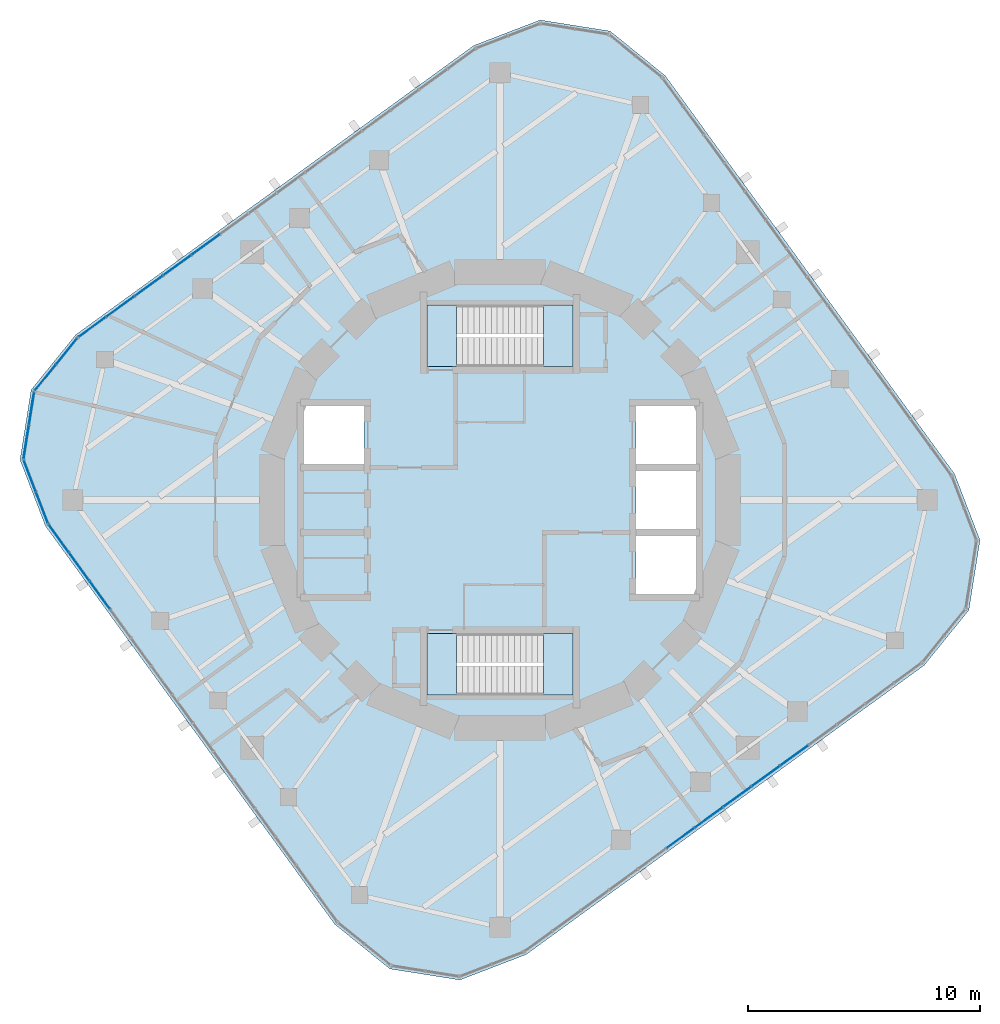
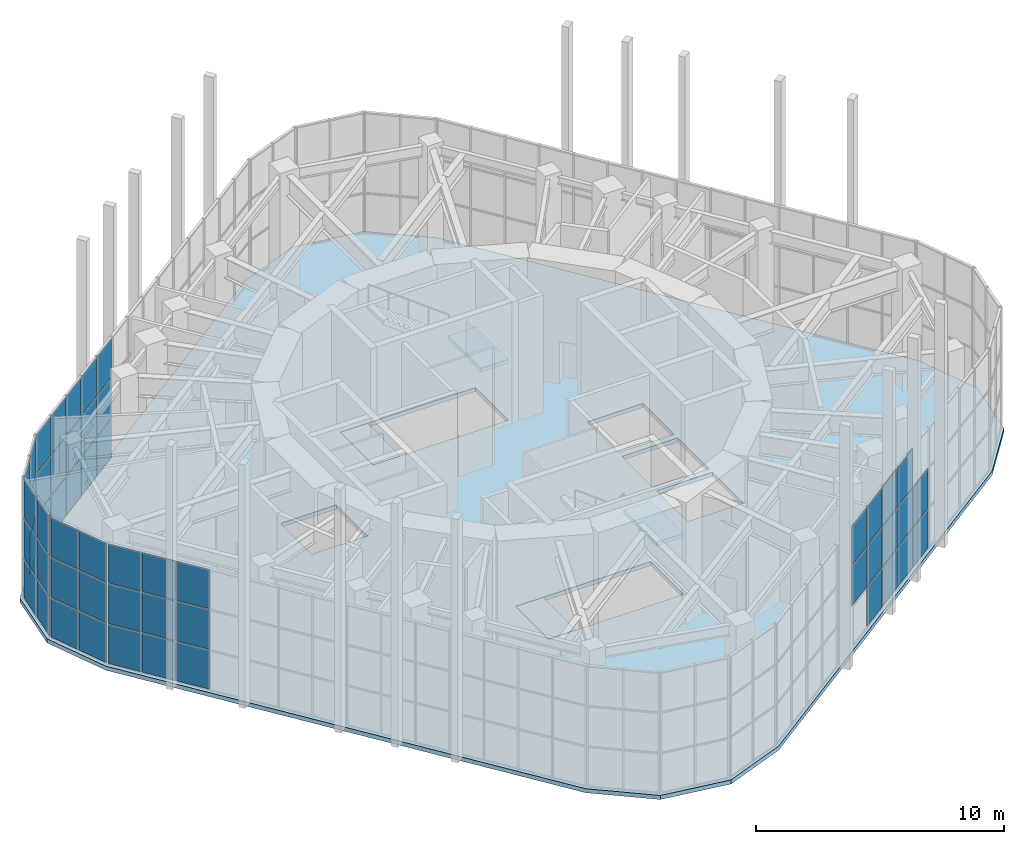
# One storey, part 12 of 17: 55 plates, 5 slabs, 8 elements without a shape of their own.
"""IFC4 building model written with IfcOpenShell, lengths in metres."""

from ifc_helpers import new_model, si_unit, direction, frame, origin, origin_2d, place, context, subcontext, project, spatial, polyline, rectangle, outline, extrude, material, layer, layer_set, type_object, element, aggregate, save


model = new_model("IFC4")

# Units and contexts
model_context = context("Model", 3, precision=1e-05, world=origin(), true_north=direction((0.0, 1.0)))
body_context = subcontext(model_context, "Body", "Model", "MODEL_VIEW")
ifc_project = project(units=[si_unit("LENGTHUNIT", "METRE"), si_unit("AREAUNIT", "SQUARE_METRE"), si_unit("VOLUMEUNIT", "CUBIC_METRE"), si_unit("PLANEANGLEUNIT", "RADIAN"), si_unit("MASSUNIT", "GRAM", prefix="KILO")], contexts=[model_context])

# Site, building, storey
site_placement = place(None, origin())
site = spatial("IfcSite", under=ifc_project, at=site_placement, CompositionType="ELEMENT")
building_placement = place(site_placement, origin())
building = spatial("IfcBuilding", under=site, at=building_placement, Name="Nakasero Lantern House", CompositionType="ELEMENT")
storey_placement = place(building_placement, frame((0.0, 0.0, 298.39990234375)))
storey = spatial("IfcBuildingStorey", under=building, at=storey_placement, Name="L73", CompositionType="ELEMENT", Elevation=298.39990234375)

# Slab
ifc_material_1 = material(Name="Concrete C35/45", Category="concrete")
ifc_layer_1 = layer(ifc_material_1, 0.199951171875)
ifc_layer_set_1 = layer_set([ifc_layer_1], Name="Composite floor slab 200")
slab_type_1 = type_object("IfcSlabType", Name="Composite floor slab 200", PredefinedType="FLOOR", material=ifc_layer_set_1)
slab_1_placement = place(storey_placement, frame((0.0, 0.0, -0.199951171875)))
element("IfcSlab", 1, at=slab_1_placement, inside=storey, type_object=slab_type_1, Name="Floor slab L73", PredefinedType="FLOOR", context=body_context, shape_type="SweptSolid", body=[
    extrude(outline(polyline([(7.1181640625, 18.27392578125), (4.744873046875, 20.196044921875), (1.728271484375, 20.673828125), (-1.122802734375, 19.579345703125), (-18.27392578125, 7.1181640625), (-20.196044921875, 4.744873046875), (-20.673828125, 1.728271484375), (-19.579345703125, -1.122802734375), (-7.1181640625, -18.27392578125), (-4.744873046875, -20.196044921875), (-1.728271484375, -20.673828125), (1.122802734375, -19.579345703125), (18.27392578125, -7.1181640625), (20.196044921875, -4.744873046875), (20.673828125, -1.728271484375), (19.579345703125, 1.122802734375), (7.1181640625, 18.27392578125)]), holes=[polyline([(-8.449951171875, 1.550048828125), (-5.85009765625, 1.550048828125), (-5.85009765625, 4.050048828125), (-8.449951171875, 4.050048828125), (-8.449951171875, 1.550048828125)]), polyline([(5.85009765625, -4.050048828125), (8.449951171875, -4.050048828125), (8.449951171875, -1.550048828125), (5.85009765625, -1.550048828125), (5.85009765625, -4.050048828125)]), polyline([(5.85009765625, -1.25), (8.449951171875, -1.25), (8.449951171875, 1.25), (5.85009765625, 1.25), (5.85009765625, -1.25)]), polyline([(5.85009765625, 1.550048828125), (8.449951171875, 1.550048828125), (8.449951171875, 4.050048828125), (5.85009765625, 4.050048828125), (5.85009765625, 1.550048828125)]), polyline([(-3.14990234375, 5.75), (3.14990234375, 5.75), (3.14990234375, 8.39990234375), (-3.14990234375, 8.39990234375), (-3.14990234375, 5.75)]), polyline([(-3.14990234375, -8.39990234375), (3.14990234375, -8.39990234375), (3.14990234375, -5.75), (-3.14990234375, -5.75), (-3.14990234375, -8.39990234375)])]), origin(), (0.0, 0.0, 1.0), 0.199951171875),
])

# Curtain wall, plates
ifc_material_2 = material(Name="Aluminium 6063-T6 and glass", Category="aluminium")
curtain_wall_type = type_object("IfcCurtainWallType", Name="Lantern glazing CW-4", PredefinedType="USERDEFINED", material=ifc_material_2)
curtain_wall_1_placement = place(storey_placement, origin())
curtain_wall_1 = element("IfcCurtainWall", 2, at=curtain_wall_1_placement, inside=storey, type_object=curtain_wall_type, Name="Curtain wall CW-4 L73", ObjectType="UNITISED CURTAIN WALL", PredefinedType="USERDEFINED")
ifc_material_3 = material(Name="Glass", Category="glass")
ifc_layer_2 = layer(ifc_material_3, 0.028076171875)
ifc_layer_set_2 = layer_set([ifc_layer_2], Name="Glazed panel CW-4")
plate_type = type_object("IfcPlateType", Name="Glazed panel CW-4", PredefinedType="CURTAIN_PANEL", material=ifc_layer_set_2)
plate_1_placement = place(storey_placement, frame((-12.673095703125, 11.002197265625, 0.06005859375), z_axis=(0.0, 0.0, 1.0), x_axis=(-0.809016994375, -0.587785252292, 0.0)))
plate_1 = element("IfcPlate", 3, at=plate_1_placement, type_object=plate_type, Name="CW-4 panel 10.1", PredefinedType="CURTAIN_PANEL", context=body_context, shape_type="SweptSolid", body=[
    extrude(rectangle(XDim=1.454345703125, YDim=0.028076171875, at=origin_2d()), origin(), (0.0, 0.0, 1.0), 1.909912109375),
])
plate_2_placement = place(storey_placement, frame((-12.673095703125, 11.002197265625, 2.030029296875), z_axis=(0.0, 0.0, 1.0), x_axis=(-0.809016994375, -0.587785252292, 0.0)))
plate_2 = element("IfcPlate", 4, at=plate_2_placement, type_object=plate_type, Name="CW-4 panel 10.2", PredefinedType="CURTAIN_PANEL", context=body_context, shape_type="SweptSolid", body=[
    extrude(rectangle(XDim=1.454345703125, YDim=0.028076171875, at=origin_2d()), origin(), (0.0, 0.0, 1.0), 1.93994140625),
])
plate_3_placement = place(storey_placement, frame((-12.673095703125, 11.002197265625, 4.0302734375), z_axis=(0.0, 0.0, 1.0), x_axis=(-0.809016994375, -0.587785252292, 0.0)))
plate_3 = element("IfcPlate", 5, at=plate_3_placement, type_object=plate_type, Name="CW-4 panel 10.3", PredefinedType="CURTAIN_PANEL", context=body_context, shape_type="SweptSolid", body=[
    extrude(rectangle(XDim=1.454345703125, YDim=0.028076171875, at=origin_2d()), origin(), (0.0, 0.0, 1.0), 1.909912109375),
])
plate_4_placement = place(storey_placement, frame((-13.898193359375, 10.112060546875, 0.06005859375), z_axis=(0.0, 0.0, 1.0), x_axis=(-0.809016994375, -0.587785252292, 0.0)))
plate_4 = element("IfcPlate", 6, at=plate_4_placement, type_object=plate_type, Name="CW-4 panel 11.1", PredefinedType="CURTAIN_PANEL", context=body_context, shape_type="SweptSolid", body=[
    extrude(rectangle(XDim=1.454345703125, YDim=0.028076171875, at=origin_2d()), origin(), (0.0, 0.0, 1.0), 1.909912109375),
])
plate_5_placement = place(storey_placement, frame((-13.898193359375, 10.112060546875, 2.030029296875), z_axis=(0.0, 0.0, 1.0), x_axis=(-0.809016994375, -0.587785252292, 0.0)))
plate_5 = element("IfcPlate", 7, at=plate_5_placement, type_object=plate_type, Name="CW-4 panel 11.2", PredefinedType="CURTAIN_PANEL", context=body_context, shape_type="SweptSolid", body=[
    extrude(rectangle(XDim=1.454345703125, YDim=0.028076171875, at=origin_2d()), origin(), (0.0, 0.0, 1.0), 1.93994140625),
])
plate_6_placement = place(storey_placement, frame((-13.898193359375, 10.112060546875, 4.0302734375), z_axis=(0.0, 0.0, 1.0), x_axis=(-0.809016994375, -0.587785252292, 0.0)))
plate_6 = element("IfcPlate", 8, at=plate_6_placement, type_object=plate_type, Name="CW-4 panel 11.3", PredefinedType="CURTAIN_PANEL", context=body_context, shape_type="SweptSolid", body=[
    extrude(rectangle(XDim=1.454345703125, YDim=0.028076171875, at=origin_2d()), origin(), (0.0, 0.0, 1.0), 1.909912109375),
])
plate_7_placement = place(storey_placement, frame((-15.123046875, 9.22216796875, 0.06005859375), z_axis=(0.0, 0.0, 1.0), x_axis=(-0.809016994375, -0.587785252292, 0.0)))
plate_7 = element("IfcPlate", 9, at=plate_7_placement, type_object=plate_type, Name="CW-4 panel 12.1", PredefinedType="CURTAIN_PANEL", context=body_context, shape_type="SweptSolid", body=[
    extrude(rectangle(XDim=1.454345703125, YDim=0.028076171875, at=origin_2d()), origin(), (0.0, 0.0, 1.0), 1.909912109375),
])
plate_8_placement = place(storey_placement, frame((-15.123046875, 9.22216796875, 2.030029296875), z_axis=(0.0, 0.0, 1.0), x_axis=(-0.809016994375, -0.587785252292, 0.0)))
plate_8 = element("IfcPlate", 10, at=plate_8_placement, type_object=plate_type, Name="CW-4 panel 12.2", PredefinedType="CURTAIN_PANEL", context=body_context, shape_type="SweptSolid", body=[
    extrude(rectangle(XDim=1.454345703125, YDim=0.028076171875, at=origin_2d()), origin(), (0.0, 0.0, 1.0), 1.93994140625),
])
plate_9_placement = place(storey_placement, frame((-15.123046875, 9.22216796875, 4.0302734375), z_axis=(0.0, 0.0, 1.0), x_axis=(-0.809016994375, -0.587785252292, 0.0)))
plate_9 = element("IfcPlate", 11, at=plate_9_placement, type_object=plate_type, Name="CW-4 panel 12.3", PredefinedType="CURTAIN_PANEL", context=body_context, shape_type="SweptSolid", body=[
    extrude(rectangle(XDim=1.454345703125, YDim=0.028076171875, at=origin_2d()), origin(), (0.0, 0.0, 1.0), 1.909912109375),
])
plate_10_placement = place(storey_placement, frame((-16.34814453125, 8.33203125, 0.06005859375), z_axis=(0.0, 0.0, 1.0), x_axis=(-0.809016994375, -0.587785252292, 0.0)))
plate_10 = element("IfcPlate", 12, at=plate_10_placement, type_object=plate_type, Name="CW-4 panel 13.1", PredefinedType="CURTAIN_PANEL", context=body_context, shape_type="SweptSolid", body=[
    extrude(rectangle(XDim=1.454345703125, YDim=0.028076171875, at=origin_2d()), origin(), (0.0, 0.0, 1.0), 1.909912109375),
])
plate_11_placement = place(storey_placement, frame((-16.34814453125, 8.33203125, 2.030029296875), z_axis=(0.0, 0.0, 1.0), x_axis=(-0.809016994375, -0.587785252292, 0.0)))
plate_11 = element("IfcPlate", 13, at=plate_11_placement, type_object=plate_type, Name="CW-4 panel 13.2", PredefinedType="CURTAIN_PANEL", context=body_context, shape_type="SweptSolid", body=[
    extrude(rectangle(XDim=1.454345703125, YDim=0.028076171875, at=origin_2d()), origin(), (0.0, 0.0, 1.0), 1.93994140625),
])
plate_12_placement = place(storey_placement, frame((-16.34814453125, 8.33203125, 4.0302734375), z_axis=(0.0, 0.0, 1.0), x_axis=(-0.809016994375, -0.587785252292, 0.0)))
plate_12 = element("IfcPlate", 14, at=plate_12_placement, type_object=plate_type, Name="CW-4 panel 13.3", PredefinedType="CURTAIN_PANEL", context=body_context, shape_type="SweptSolid", body=[
    extrude(rectangle(XDim=1.454345703125, YDim=0.028076171875, at=origin_2d()), origin(), (0.0, 0.0, 1.0), 1.909912109375),
])
plate_13_placement = place(storey_placement, frame((-17.561279296875, 7.45068359375, 0.06005859375), z_axis=(0.0, 0.0, 1.0), x_axis=(-0.809016994375, -0.587785252292, 0.0)))
plate_13 = element("IfcPlate", 15, at=plate_13_placement, type_object=plate_type, Name="CW-4 panel 14.1", PredefinedType="CURTAIN_PANEL", context=body_context, shape_type="SweptSolid", body=[
    extrude(rectangle(XDim=1.42431640625, YDim=0.028076171875, at=origin_2d()), origin(), (0.0, 0.0, 1.0), 1.909912109375),
])
plate_14_placement = place(storey_placement, frame((-17.561279296875, 7.45068359375, 2.030029296875), z_axis=(0.0, 0.0, 1.0), x_axis=(-0.809016994375, -0.587785252292, 0.0)))
plate_14 = element("IfcPlate", 16, at=plate_14_placement, type_object=plate_type, Name="CW-4 panel 14.2", PredefinedType="CURTAIN_PANEL", context=body_context, shape_type="SweptSolid", body=[
    extrude(rectangle(XDim=1.42431640625, YDim=0.028076171875, at=origin_2d()), origin(), (0.0, 0.0, 1.0), 1.93994140625),
])
plate_15_placement = place(storey_placement, frame((-17.561279296875, 7.45068359375, 4.0302734375), z_axis=(0.0, 0.0, 1.0), x_axis=(-0.809016994375, -0.587785252292, 0.0)))
plate_15 = element("IfcPlate", 17, at=plate_15_placement, type_object=plate_type, Name="CW-4 panel 14.3", PredefinedType="CURTAIN_PANEL", context=body_context, shape_type="SweptSolid", body=[
    extrude(rectangle(XDim=1.42431640625, YDim=0.028076171875, at=origin_2d()), origin(), (0.0, 0.0, 1.0), 1.909912109375),
])
aggregate(curtain_wall_1, [plate_1, plate_2, plate_3, plate_4, plate_5, plate_6, plate_7, plate_8, plate_9, plate_10, plate_11, plate_12, plate_13, plate_14, plate_15])

curtain_wall_2_placement = place(storey_placement, origin())
curtain_wall_2 = element("IfcCurtainWall", 18, at=curtain_wall_2_placement, inside=storey, type_object=curtain_wall_type, Name="Curtain wall CW-4 L73", ObjectType="UNITISED CURTAIN WALL", PredefinedType="USERDEFINED")
plate_16_placement = place(storey_placement, frame((-18.66357421875, 6.406982421875, 0.06005859375), z_axis=(0.0, 0.0, 1.0), x_axis=(-0.629320391091, -0.777145961424, 0.0)))
plate_16 = element("IfcPlate", 19, at=plate_16_placement, type_object=plate_type, Name="CW-4 panel 1.1", PredefinedType="CURTAIN_PANEL", context=body_context, shape_type="SweptSolid", body=[
    extrude(rectangle(XDim=1.398193359375, YDim=0.028076171875, at=origin_2d()), origin(), (0.0, 0.0, 1.0), 1.909912109375),
])
plate_17_placement = place(storey_placement, frame((-18.66357421875, 6.406982421875, 2.030029296875), z_axis=(0.0, 0.0, 1.0), x_axis=(-0.629320391091, -0.777145961424, 0.0)))
plate_17 = element("IfcPlate", 20, at=plate_17_placement, type_object=plate_type, Name="CW-4 panel 1.2", PredefinedType="CURTAIN_PANEL", context=body_context, shape_type="SweptSolid", body=[
    extrude(rectangle(XDim=1.398193359375, YDim=0.028076171875, at=origin_2d()), origin(), (0.0, 0.0, 1.0), 1.93994140625),
])
plate_18_placement = place(storey_placement, frame((-18.66357421875, 6.406982421875, 4.0302734375), z_axis=(0.0, 0.0, 1.0), x_axis=(-0.629320391091, -0.777145961424, 0.0)))
plate_18 = element("IfcPlate", 21, at=plate_18_placement, type_object=plate_type, Name="CW-4 panel 1.3", PredefinedType="CURTAIN_PANEL", context=body_context, shape_type="SweptSolid", body=[
    extrude(rectangle(XDim=1.398193359375, YDim=0.028076171875, at=origin_2d()), origin(), (0.0, 0.0, 1.0), 1.909912109375),
])
plate_19_placement = place(storey_placement, frame((-19.581298828125, 5.273681640625, 0.06005859375), z_axis=(0.0, 0.0, 1.0), x_axis=(-0.629320391091, -0.777145961424, 0.0)))
plate_19 = element("IfcPlate", 22, at=plate_19_placement, type_object=plate_type, Name="CW-4 panel 2.1", PredefinedType="CURTAIN_PANEL", context=body_context, shape_type="SweptSolid", body=[
    extrude(rectangle(XDim=1.398193359375, YDim=0.028076171875, at=origin_2d()), origin(), (0.0, 0.0, 1.0), 1.909912109375),
])
plate_20_placement = place(storey_placement, frame((-19.581298828125, 5.273681640625, 2.030029296875), z_axis=(0.0, 0.0, 1.0), x_axis=(-0.629320391091, -0.777145961424, 0.0)))
plate_20 = element("IfcPlate", 23, at=plate_20_placement, type_object=plate_type, Name="CW-4 panel 2.2", PredefinedType="CURTAIN_PANEL", context=body_context, shape_type="SweptSolid", body=[
    extrude(rectangle(XDim=1.398193359375, YDim=0.028076171875, at=origin_2d()), origin(), (0.0, 0.0, 1.0), 1.93994140625),
])
plate_21_placement = place(storey_placement, frame((-19.581298828125, 5.273681640625, 4.0302734375), z_axis=(0.0, 0.0, 1.0), x_axis=(-0.629320391091, -0.777145961424, 0.0)))
plate_21 = element("IfcPlate", 24, at=plate_21_placement, type_object=plate_type, Name="CW-4 panel 2.3", PredefinedType="CURTAIN_PANEL", context=body_context, shape_type="SweptSolid", body=[
    extrude(rectangle(XDim=1.398193359375, YDim=0.028076171875, at=origin_2d()), origin(), (0.0, 0.0, 1.0), 1.909912109375),
])
aggregate(curtain_wall_2, [plate_16, plate_17, plate_18, plate_19, plate_20, plate_21])

curtain_wall_3_placement = place(storey_placement, origin())
curtain_wall_3 = element("IfcCurtainWall", 25, at=curtain_wall_3_placement, inside=storey, type_object=curtain_wall_type, Name="Curtain wall CW-4 L73", ObjectType="UNITISED CURTAIN WALL", PredefinedType="USERDEFINED")
plate_22_placement = place(storey_placement, frame((-20.177734375, 3.93408203125, 0.06005859375), z_axis=(0.0, 0.0, 1.0), x_axis=(-0.15643446504, -0.987688340595, 0.0)))
plate_22 = element("IfcPlate", 26, at=plate_22_placement, type_object=plate_type, Name="CW-4 panel 1.1", PredefinedType="CURTAIN_PANEL", context=body_context, shape_type="SweptSolid", body=[
    extrude(rectangle(XDim=1.398193359375, YDim=0.028076171875, at=origin_2d()), origin(), (0.0, 0.0, 1.0), 1.909912109375),
])
plate_23_placement = place(storey_placement, frame((-20.177734375, 3.93408203125, 2.030029296875), z_axis=(0.0, 0.0, 1.0), x_axis=(-0.15643446504, -0.987688340595, 0.0)))
plate_23 = element("IfcPlate", 27, at=plate_23_placement, type_object=plate_type, Name="CW-4 panel 1.2", PredefinedType="CURTAIN_PANEL", context=body_context, shape_type="SweptSolid", body=[
    extrude(rectangle(XDim=1.398193359375, YDim=0.028076171875, at=origin_2d()), origin(), (0.0, 0.0, 1.0), 1.93994140625),
])
plate_24_placement = place(storey_placement, frame((-20.177734375, 3.93408203125, 4.0302734375), z_axis=(0.0, 0.0, 1.0), x_axis=(-0.15643446504, -0.987688340595, 0.0)))
plate_24 = element("IfcPlate", 28, at=plate_24_placement, type_object=plate_type, Name="CW-4 panel 1.3", PredefinedType="CURTAIN_PANEL", context=body_context, shape_type="SweptSolid", body=[
    extrude(rectangle(XDim=1.398193359375, YDim=0.028076171875, at=origin_2d()), origin(), (0.0, 0.0, 1.0), 1.909912109375),
])
plate_25_placement = place(storey_placement, frame((-20.40576171875, 2.493896484375, 0.06005859375), z_axis=(0.0, 0.0, 1.0), x_axis=(-0.15643446504, -0.987688340595, 0.0)))
plate_25 = element("IfcPlate", 29, at=plate_25_placement, type_object=plate_type, Name="CW-4 panel 2.1", PredefinedType="CURTAIN_PANEL", context=body_context, shape_type="SweptSolid", body=[
    extrude(rectangle(XDim=1.398193359375, YDim=0.028076171875, at=origin_2d()), origin(), (0.0, 0.0, 1.0), 1.909912109375),
])
plate_26_placement = place(storey_placement, frame((-20.40576171875, 2.493896484375, 2.030029296875), z_axis=(0.0, 0.0, 1.0), x_axis=(-0.15643446504, -0.987688340595, 0.0)))
plate_26 = element("IfcPlate", 30, at=plate_26_placement, type_object=plate_type, Name="CW-4 panel 2.2", PredefinedType="CURTAIN_PANEL", context=body_context, shape_type="SweptSolid", body=[
    extrude(rectangle(XDim=1.398193359375, YDim=0.028076171875, at=origin_2d()), origin(), (0.0, 0.0, 1.0), 1.93994140625),
])
plate_27_placement = place(storey_placement, frame((-20.40576171875, 2.493896484375, 4.0302734375), z_axis=(0.0, 0.0, 1.0), x_axis=(-0.15643446504, -0.987688340595, 0.0)))
plate_27 = element("IfcPlate", 31, at=plate_27_placement, type_object=plate_type, Name="CW-4 panel 2.3", PredefinedType="CURTAIN_PANEL", context=body_context, shape_type="SweptSolid", body=[
    extrude(rectangle(XDim=1.398193359375, YDim=0.028076171875, at=origin_2d()), origin(), (0.0, 0.0, 1.0), 1.909912109375),
])
aggregate(curtain_wall_3, [plate_22, plate_23, plate_24, plate_25, plate_26, plate_27])

curtain_wall_4_placement = place(storey_placement, origin())
curtain_wall_4 = element("IfcCurtainWall", 32, at=curtain_wall_4_placement, inside=storey, type_object=curtain_wall_type, Name="Curtain wall CW-4 L73", ObjectType="UNITISED CURTAIN WALL", PredefinedType="USERDEFINED")
plate_28_placement = place(storey_placement, frame((-20.252685546875, 1.035400390625, 0.06005859375), z_axis=(0.0, 0.0, 1.0), x_axis=(0.35836794961, -0.933580426472, 0.0)))
plate_28 = element("IfcPlate", 33, at=plate_28_placement, type_object=plate_type, Name="CW-4 panel 1.1", PredefinedType="CURTAIN_PANEL", context=body_context, shape_type="SweptSolid", body=[
    extrude(rectangle(XDim=1.398193359375, YDim=0.028076171875, at=origin_2d()), origin(), (0.0, 0.0, 1.0), 1.909912109375),
])
plate_29_placement = place(storey_placement, frame((-20.252685546875, 1.035400390625, 2.030029296875), z_axis=(0.0, 0.0, 1.0), x_axis=(0.35836794961, -0.933580426472, 0.0)))
plate_29 = element("IfcPlate", 34, at=plate_29_placement, type_object=plate_type, Name="CW-4 panel 1.2", PredefinedType="CURTAIN_PANEL", context=body_context, shape_type="SweptSolid", body=[
    extrude(rectangle(XDim=1.398193359375, YDim=0.028076171875, at=origin_2d()), origin(), (0.0, 0.0, 1.0), 1.93994140625),
])
plate_30_placement = place(storey_placement, frame((-20.252685546875, 1.035400390625, 4.0302734375), z_axis=(0.0, 0.0, 1.0), x_axis=(0.35836794961, -0.933580426472, 0.0)))
plate_30 = element("IfcPlate", 35, at=plate_30_placement, type_object=plate_type, Name="CW-4 panel 1.3", PredefinedType="CURTAIN_PANEL", context=body_context, shape_type="SweptSolid", body=[
    extrude(rectangle(XDim=1.398193359375, YDim=0.028076171875, at=origin_2d()), origin(), (0.0, 0.0, 1.0), 1.909912109375),
])
plate_31_placement = place(storey_placement, frame((-19.72998046875, -0.325927734375, 0.06005859375), z_axis=(0.0, 0.0, 1.0), x_axis=(0.35836794961, -0.933580426472, 0.0)))
plate_31 = element("IfcPlate", 36, at=plate_31_placement, type_object=plate_type, Name="CW-4 panel 2.1", PredefinedType="CURTAIN_PANEL", context=body_context, shape_type="SweptSolid", body=[
    extrude(rectangle(XDim=1.398193359375, YDim=0.028076171875, at=origin_2d()), origin(), (0.0, 0.0, 1.0), 1.909912109375),
])
plate_32_placement = place(storey_placement, frame((-19.72998046875, -0.325927734375, 2.030029296875), z_axis=(0.0, 0.0, 1.0), x_axis=(0.35836794961, -0.933580426472, 0.0)))
plate_32 = element("IfcPlate", 37, at=plate_32_placement, type_object=plate_type, Name="CW-4 panel 2.2", PredefinedType="CURTAIN_PANEL", context=body_context, shape_type="SweptSolid", body=[
    extrude(rectangle(XDim=1.398193359375, YDim=0.028076171875, at=origin_2d()), origin(), (0.0, 0.0, 1.0), 1.93994140625),
])
plate_33_placement = place(storey_placement, frame((-19.72998046875, -0.325927734375, 4.0302734375), z_axis=(0.0, 0.0, 1.0), x_axis=(0.35836794961, -0.933580426472, 0.0)))
plate_33 = element("IfcPlate", 38, at=plate_33_placement, type_object=plate_type, Name="CW-4 panel 2.3", PredefinedType="CURTAIN_PANEL", context=body_context, shape_type="SweptSolid", body=[
    extrude(rectangle(XDim=1.398193359375, YDim=0.028076171875, at=origin_2d()), origin(), (0.0, 0.0, 1.0), 1.909912109375),
])
aggregate(curtain_wall_4, [plate_28, plate_29, plate_30, plate_31, plate_32, plate_33])

curtain_wall_5_placement = place(storey_placement, origin())
curtain_wall_5 = element("IfcCurtainWall", 39, at=curtain_wall_5_placement, inside=storey, type_object=curtain_wall_type, Name="Curtain wall CW-4 L73", ObjectType="UNITISED CURTAIN WALL", PredefinedType="USERDEFINED")
plate_34_placement = place(storey_placement, frame((-19.004150390625, -1.659423828125, 0.06005859375), z_axis=(0.0, 0.0, 1.0), x_axis=(0.587785252292, -0.809016994375, 0.0)))
plate_34 = element("IfcPlate", 40, at=plate_34_placement, type_object=plate_type, Name="CW-4 panel 1.1", PredefinedType="CURTAIN_PANEL", context=body_context, shape_type="SweptSolid", body=[
    extrude(rectangle(XDim=1.42431640625, YDim=0.028076171875, at=origin_2d()), origin(), (0.0, 0.0, 1.0), 1.909912109375),
])
plate_35_placement = place(storey_placement, frame((-19.004150390625, -1.659423828125, 2.030029296875), z_axis=(0.0, 0.0, 1.0), x_axis=(0.587785252292, -0.809016994375, 0.0)))
plate_35 = element("IfcPlate", 41, at=plate_35_placement, type_object=plate_type, Name="CW-4 panel 1.2", PredefinedType="CURTAIN_PANEL", context=body_context, shape_type="SweptSolid", body=[
    extrude(rectangle(XDim=1.42431640625, YDim=0.028076171875, at=origin_2d()), origin(), (0.0, 0.0, 1.0), 1.93994140625),
])
plate_36_placement = place(storey_placement, frame((-19.004150390625, -1.659423828125, 4.0302734375), z_axis=(0.0, 0.0, 1.0), x_axis=(0.587785252292, -0.809016994375, 0.0)))
plate_36 = element("IfcPlate", 42, at=plate_36_placement, type_object=plate_type, Name="CW-4 panel 1.3", PredefinedType="CURTAIN_PANEL", context=body_context, shape_type="SweptSolid", body=[
    extrude(rectangle(XDim=1.42431640625, YDim=0.028076171875, at=origin_2d()), origin(), (0.0, 0.0, 1.0), 1.909912109375),
])
plate_37_placement = place(storey_placement, frame((-18.122802734375, -2.872314453125, 0.06005859375), z_axis=(0.0, 0.0, 1.0), x_axis=(0.587785252292, -0.809016994375, 0.0)))
plate_37 = element("IfcPlate", 43, at=plate_37_placement, type_object=plate_type, Name="CW-4 panel 2.1", PredefinedType="CURTAIN_PANEL", context=body_context, shape_type="SweptSolid", body=[
    extrude(rectangle(XDim=1.454345703125, YDim=0.028076171875, at=origin_2d()), origin(), (0.0, 0.0, 1.0), 1.909912109375),
])
plate_38_placement = place(storey_placement, frame((-18.122802734375, -2.872314453125, 2.030029296875), z_axis=(0.0, 0.0, 1.0), x_axis=(0.587785252292, -0.809016994375, 0.0)))
plate_38 = element("IfcPlate", 44, at=plate_38_placement, type_object=plate_type, Name="CW-4 panel 2.2", PredefinedType="CURTAIN_PANEL", context=body_context, shape_type="SweptSolid", body=[
    extrude(rectangle(XDim=1.454345703125, YDim=0.028076171875, at=origin_2d()), origin(), (0.0, 0.0, 1.0), 1.93994140625),
])
plate_39_placement = place(storey_placement, frame((-18.122802734375, -2.872314453125, 4.0302734375), z_axis=(0.0, 0.0, 1.0), x_axis=(0.587785252292, -0.809016994375, 0.0)))
plate_39 = element("IfcPlate", 45, at=plate_39_placement, type_object=plate_type, Name="CW-4 panel 2.3", PredefinedType="CURTAIN_PANEL", context=body_context, shape_type="SweptSolid", body=[
    extrude(rectangle(XDim=1.454345703125, YDim=0.028076171875, at=origin_2d()), origin(), (0.0, 0.0, 1.0), 1.909912109375),
])
plate_40_placement = place(storey_placement, frame((-17.232666015625, -4.097412109375, 0.06005859375), z_axis=(0.0, 0.0, 1.0), x_axis=(0.587785252292, -0.809016994375, 0.0)))
plate_40 = element("IfcPlate", 46, at=plate_40_placement, type_object=plate_type, Name="CW-4 panel 3.1", PredefinedType="CURTAIN_PANEL", context=body_context, shape_type="SweptSolid", body=[
    extrude(rectangle(XDim=1.454345703125, YDim=0.028076171875, at=origin_2d()), origin(), (0.0, 0.0, 1.0), 1.909912109375),
])
plate_41_placement = place(storey_placement, frame((-17.232666015625, -4.097412109375, 2.030029296875), z_axis=(0.0, 0.0, 1.0), x_axis=(0.587785252292, -0.809016994375, 0.0)))
plate_41 = element("IfcPlate", 47, at=plate_41_placement, type_object=plate_type, Name="CW-4 panel 3.2", PredefinedType="CURTAIN_PANEL", context=body_context, shape_type="SweptSolid", body=[
    extrude(rectangle(XDim=1.454345703125, YDim=0.028076171875, at=origin_2d()), origin(), (0.0, 0.0, 1.0), 1.93994140625),
])
plate_42_placement = place(storey_placement, frame((-17.232666015625, -4.097412109375, 4.0302734375), z_axis=(0.0, 0.0, 1.0), x_axis=(0.587785252292, -0.809016994375, 0.0)))
plate_42 = element("IfcPlate", 48, at=plate_42_placement, type_object=plate_type, Name="CW-4 panel 3.3", PredefinedType="CURTAIN_PANEL", context=body_context, shape_type="SweptSolid", body=[
    extrude(rectangle(XDim=1.454345703125, YDim=0.028076171875, at=origin_2d()), origin(), (0.0, 0.0, 1.0), 1.909912109375),
])
aggregate(curtain_wall_5, [plate_34, plate_35, plate_36, plate_37, plate_38, plate_39, plate_40, plate_41, plate_42])

curtain_wall_6_placement = place(storey_placement, origin())
curtain_wall_6 = element("IfcCurtainWall", 49, at=curtain_wall_6_placement, inside=storey, type_object=curtain_wall_type, Name="Curtain wall CW-4 L73", ObjectType="UNITISED CURTAIN WALL", PredefinedType="USERDEFINED")
plate_43_placement = place(storey_placement, frame((7.772705078125, -14.5625, 2.030029296875), z_axis=(0.0, 0.0, 1.0), x_axis=(0.809016994375, 0.587785252292, 0.0)))
plate_43 = element("IfcPlate", 50, at=plate_43_placement, type_object=plate_type, Name="CW-4 panel 6.2", PredefinedType="CURTAIN_PANEL", context=body_context, shape_type="SweptSolid", body=[
    extrude(rectangle(XDim=1.454345703125, YDim=0.028076171875, at=origin_2d()), origin(), (0.0, 0.0, 1.0), 1.93994140625),
])
plate_44_placement = place(storey_placement, frame((7.772705078125, -14.5625, 4.0302734375), z_axis=(0.0, 0.0, 1.0), x_axis=(0.809016994375, 0.587785252292, 0.0)))
plate_44 = element("IfcPlate", 51, at=plate_44_placement, type_object=plate_type, Name="CW-4 panel 6.3", PredefinedType="CURTAIN_PANEL", context=body_context, shape_type="SweptSolid", body=[
    extrude(rectangle(XDim=1.454345703125, YDim=0.028076171875, at=origin_2d()), origin(), (0.0, 0.0, 1.0), 1.909912109375),
])
plate_45_placement = place(storey_placement, frame((8.997802734375, -13.67236328125, 0.06005859375), z_axis=(0.0, 0.0, 1.0), x_axis=(0.809016994375, 0.587785252292, 0.0)))
plate_45 = element("IfcPlate", 52, at=plate_45_placement, type_object=plate_type, Name="CW-4 panel 7.1", PredefinedType="CURTAIN_PANEL", context=body_context, shape_type="SweptSolid", body=[
    extrude(rectangle(XDim=1.454345703125, YDim=0.028076171875, at=origin_2d()), origin(), (0.0, 0.0, 1.0), 1.909912109375),
])
plate_46_placement = place(storey_placement, frame((8.997802734375, -13.67236328125, 2.030029296875), z_axis=(0.0, 0.0, 1.0), x_axis=(0.809016994375, 0.587785252292, 0.0)))
plate_46 = element("IfcPlate", 53, at=plate_46_placement, type_object=plate_type, Name="CW-4 panel 7.2", PredefinedType="CURTAIN_PANEL", context=body_context, shape_type="SweptSolid", body=[
    extrude(rectangle(XDim=1.454345703125, YDim=0.028076171875, at=origin_2d()), origin(), (0.0, 0.0, 1.0), 1.93994140625),
])
plate_47_placement = place(storey_placement, frame((8.997802734375, -13.67236328125, 4.0302734375), z_axis=(0.0, 0.0, 1.0), x_axis=(0.809016994375, 0.587785252292, 0.0)))
plate_47 = element("IfcPlate", 54, at=plate_47_placement, type_object=plate_type, Name="CW-4 panel 7.3", PredefinedType="CURTAIN_PANEL", context=body_context, shape_type="SweptSolid", body=[
    extrude(rectangle(XDim=1.454345703125, YDim=0.028076171875, at=origin_2d()), origin(), (0.0, 0.0, 1.0), 1.909912109375),
])
plate_48_placement = place(storey_placement, frame((10.222900390625, -12.782470703125, 0.06005859375), z_axis=(0.0, 0.0, 1.0), x_axis=(0.809016994375, 0.587785252292, 0.0)))
plate_48 = element("IfcPlate", 55, at=plate_48_placement, type_object=plate_type, Name="CW-4 panel 8.1", PredefinedType="CURTAIN_PANEL", context=body_context, shape_type="SweptSolid", body=[
    extrude(rectangle(XDim=1.454345703125, YDim=0.028076171875, at=origin_2d()), origin(), (0.0, 0.0, 1.0), 1.909912109375),
])
plate_49_placement = place(storey_placement, frame((10.222900390625, -12.782470703125, 2.030029296875), z_axis=(0.0, 0.0, 1.0), x_axis=(0.809016994375, 0.587785252292, 0.0)))
plate_49 = element("IfcPlate", 56, at=plate_49_placement, type_object=plate_type, Name="CW-4 panel 8.2", PredefinedType="CURTAIN_PANEL", context=body_context, shape_type="SweptSolid", body=[
    extrude(rectangle(XDim=1.454345703125, YDim=0.028076171875, at=origin_2d()), origin(), (0.0, 0.0, 1.0), 1.93994140625),
])
plate_50_placement = place(storey_placement, frame((10.222900390625, -12.782470703125, 4.0302734375), z_axis=(0.0, 0.0, 1.0), x_axis=(0.809016994375, 0.587785252292, 0.0)))
plate_50 = element("IfcPlate", 57, at=plate_50_placement, type_object=plate_type, Name="CW-4 panel 8.3", PredefinedType="CURTAIN_PANEL", context=body_context, shape_type="SweptSolid", body=[
    extrude(rectangle(XDim=1.454345703125, YDim=0.028076171875, at=origin_2d()), origin(), (0.0, 0.0, 1.0), 1.909912109375),
])
plate_51_placement = place(storey_placement, frame((11.447998046875, -11.892333984375, 0.06005859375), z_axis=(0.0, 0.0, 1.0), x_axis=(0.809016994375, 0.587785252292, 0.0)))
plate_51 = element("IfcPlate", 58, at=plate_51_placement, type_object=plate_type, Name="CW-4 panel 9.1", PredefinedType="CURTAIN_PANEL", context=body_context, shape_type="SweptSolid", body=[
    extrude(rectangle(XDim=1.454345703125, YDim=0.028076171875, at=origin_2d()), origin(), (0.0, 0.0, 1.0), 1.909912109375),
])
plate_52_placement = place(storey_placement, frame((11.447998046875, -11.892333984375, 2.030029296875), z_axis=(0.0, 0.0, 1.0), x_axis=(0.809016994375, 0.587785252292, 0.0)))
plate_52 = element("IfcPlate", 59, at=plate_52_placement, type_object=plate_type, Name="CW-4 panel 9.2", PredefinedType="CURTAIN_PANEL", context=body_context, shape_type="SweptSolid", body=[
    extrude(rectangle(XDim=1.454345703125, YDim=0.028076171875, at=origin_2d()), origin(), (0.0, 0.0, 1.0), 1.93994140625),
])
plate_53_placement = place(storey_placement, frame((11.447998046875, -11.892333984375, 4.0302734375), z_axis=(0.0, 0.0, 1.0), x_axis=(0.809016994375, 0.587785252292, 0.0)))
plate_53 = element("IfcPlate", 60, at=plate_53_placement, type_object=plate_type, Name="CW-4 panel 9.3", PredefinedType="CURTAIN_PANEL", context=body_context, shape_type="SweptSolid", body=[
    extrude(rectangle(XDim=1.454345703125, YDim=0.028076171875, at=origin_2d()), origin(), (0.0, 0.0, 1.0), 1.909912109375),
])
plate_54_placement = place(storey_placement, frame((12.673095703125, -11.002197265625, 0.06005859375), z_axis=(0.0, 0.0, 1.0), x_axis=(0.809016994375, 0.587785252292, 0.0)))
plate_54 = element("IfcPlate", 61, at=plate_54_placement, type_object=plate_type, Name="CW-4 panel 10.1", PredefinedType="CURTAIN_PANEL", context=body_context, shape_type="SweptSolid", body=[
    extrude(rectangle(XDim=1.454345703125, YDim=0.028076171875, at=origin_2d()), origin(), (0.0, 0.0, 1.0), 1.909912109375),
])
plate_55_placement = place(storey_placement, frame((12.673095703125, -11.002197265625, 2.030029296875), z_axis=(0.0, 0.0, 1.0), x_axis=(0.809016994375, 0.587785252292, 0.0)))
plate_55 = element("IfcPlate", 62, at=plate_55_placement, type_object=plate_type, Name="CW-4 panel 10.2", PredefinedType="CURTAIN_PANEL", context=body_context, shape_type="SweptSolid", body=[
    extrude(rectangle(XDim=1.454345703125, YDim=0.028076171875, at=origin_2d()), origin(), (0.0, 0.0, 1.0), 1.93994140625),
])
aggregate(curtain_wall_6, [plate_43, plate_44, plate_45, plate_46, plate_47, plate_48, plate_49, plate_50, plate_51, plate_52, plate_53, plate_54, plate_55])

# Stair, slabs
ifc_material_4 = material(Name="Concrete C40/50", Category="concrete")
stair_type_1 = type_object("IfcStairType", Name="Escape stair ST1 32 risers", PredefinedType="HALF_TURN_STAIR", material=ifc_material_4)
stair_1_placement = place(storey_placement, origin())
stair_1 = element("IfcStair", 63, at=stair_1_placement, inside=storey, type_object=stair_type_1, Name="Escape stair ST1 L73", PredefinedType="HALF_TURN_STAIR")
ifc_material_5 = material(Name="Concrete C40/50", Category="concrete")
ifc_layer_3 = layer(ifc_material_5, 0.199951171875)
ifc_layer_set_3 = layer_set([ifc_layer_3], Name="Stair landing 200")
slab_type_2 = type_object("IfcSlabType", Name="Stair landing 200", PredefinedType="LANDING", material=ifc_layer_set_3)
slab_2_placement = place(storey_placement, frame((0.0, 0.0, -0.199951171875)))
slab_2 = element("IfcSlab", 64, at=slab_2_placement, type_object=slab_type_2, Name="ST1 landing 1", PredefinedType="LANDING", context=body_context, shape_type="SweptSolid", body=[
    extrude(outline(polyline([(-3.14990234375, 5.75), (-1.875, 5.75), (-1.875, 8.39990234375), (-3.14990234375, 8.39990234375), (-3.14990234375, 5.75)])), origin(), (0.0, 0.0, 1.0), 0.199951171875),
])
slab_3_placement = place(storey_placement, frame((0.0, 0.0, 2.800048828125)))
slab_3 = element("IfcSlab", 65, at=slab_3_placement, type_object=slab_type_2, Name="ST1 landing 2", PredefinedType="LANDING", context=body_context, shape_type="SweptSolid", body=[
    extrude(outline(polyline([(1.875, 5.75), (3.14990234375, 5.75), (3.14990234375, 8.39990234375), (1.875, 8.39990234375), (1.875, 5.75)])), origin(), (0.0, 0.0, 1.0), 0.199951171875),
])
aggregate(stair_1, [slab_2, slab_3])

ifc_material_6 = material(Name="Concrete C40/50", Category="concrete")
stair_type_2 = type_object("IfcStairType", Name="Escape stair ST2 32 risers", PredefinedType="HALF_TURN_STAIR", material=ifc_material_6)
stair_2_placement = place(storey_placement, origin())
stair_2 = element("IfcStair", 66, at=stair_2_placement, inside=storey, type_object=stair_type_2, Name="Escape stair ST2 L73", PredefinedType="HALF_TURN_STAIR")
slab_4_placement = place(storey_placement, frame((0.0, 0.0, -0.199951171875)))
slab_4 = element("IfcSlab", 67, at=slab_4_placement, type_object=slab_type_2, Name="ST2 landing 1", PredefinedType="LANDING", context=body_context, shape_type="SweptSolid", body=[
    extrude(outline(polyline([(-3.14990234375, -8.39990234375), (-1.875, -8.39990234375), (-1.875, -5.75), (-3.14990234375, -5.75), (-3.14990234375, -8.39990234375)])), origin(), (0.0, 0.0, 1.0), 0.199951171875),
])
slab_5_placement = place(storey_placement, frame((0.0, 0.0, 2.800048828125)))
slab_5 = element("IfcSlab", 68, at=slab_5_placement, type_object=slab_type_2, Name="ST2 landing 2", PredefinedType="LANDING", context=body_context, shape_type="SweptSolid", body=[
    extrude(outline(polyline([(1.875, -8.39990234375), (3.14990234375, -8.39990234375), (3.14990234375, -5.75), (1.875, -5.75), (1.875, -8.39990234375)])), origin(), (0.0, 0.0, 1.0), 0.199951171875),
])
aggregate(stair_2, [slab_4, slab_5])

save(model, "model.ifc")
